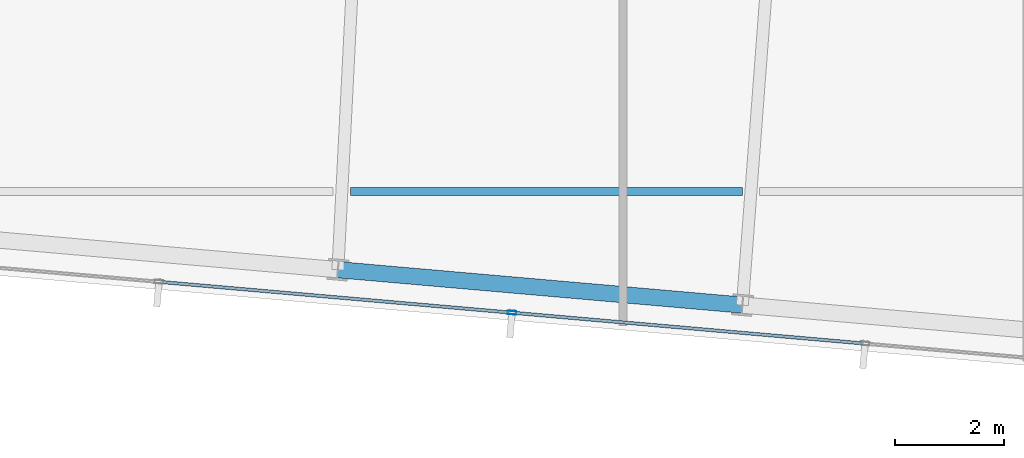
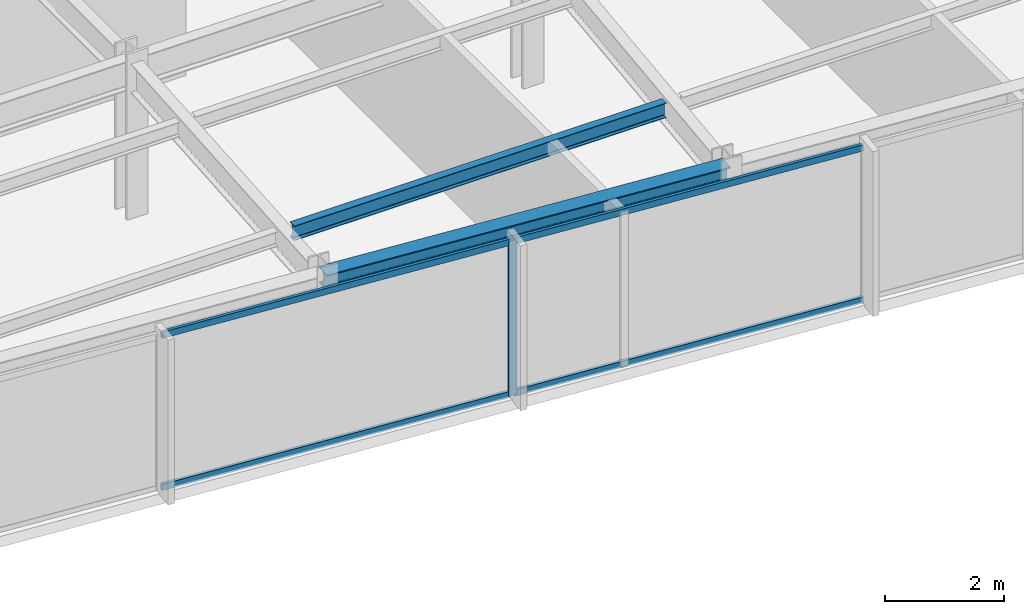
# One storey, part 7 of 32: 5 members, 2 beams, 1 element without a shape of its own.
"""IFC4 building model written with IfcOpenShell, lengths in metres."""

from ifc_helpers import new_model, si_unit, direction, frame, origin, origin_2d, place, context, subcontext, project, spatial, hollow_rectangle, i_section, extrude, material, material_profile, profile_set, type_object, element, aggregate, save


model = new_model("IFC4")

# Units and contexts
model_context = context("Model", 3, precision=1e-05, world=origin(), true_north=direction((0.0, 1.0)))
body_context = subcontext(model_context, "Body", "Model", "MODEL_VIEW")
ifc_project = project(units=[si_unit("LENGTHUNIT", "METRE"), si_unit("AREAUNIT", "SQUARE_METRE"), si_unit("VOLUMEUNIT", "CUBIC_METRE"), si_unit("PLANEANGLEUNIT", "RADIAN"), si_unit("MASSUNIT", "GRAM", prefix="KILO")], contexts=[model_context])

# Site, building, storey
site_placement = place(None, origin())
site = spatial("IfcSite", under=ifc_project, at=site_placement, CompositionType="ELEMENT")
building_placement = place(site_placement, origin())
building = spatial("IfcBuilding", under=site, at=building_placement, Name="Yelkora Congress Tower", CompositionType="ELEMENT")
storey_placement = place(building_placement, frame((0.0, 0.0, 269.300048828125)))
storey = spatial("IfcBuildingStorey", under=building, at=storey_placement, Name="L75", CompositionType="ELEMENT", Elevation=269.300048828125)

# Beams
ifc_material_1 = material(Name="Steel S355J2", Category="steel")
ifc_material_profile_1 = material_profile(ifc_material_1, i_section(OverallWidth=0.14990234375, OverallDepth=0.300048828125, WebThickness=0.007080078125, FlangeThickness=0.0107421875, FilletRadius=0.014892578125, at=origin_2d()), Name="IPE 300")
ifc_profile_set_1 = profile_set([ifc_material_profile_1], Name="Steel S355J2")
beam_type_1 = type_object("IfcBeamType", Name="BM-JOIST-IPE300", PredefinedType="JOIST", material=ifc_profile_set_1)
beam_1_placement = place(storey_placement, frame((30.595703125, 19.58447265625, 3.030029296875), z_axis=(1.0, 0.0, 0.0), x_axis=(0.0, 1.0, 0.0)))
element("IfcBeam", 1, at=beam_1_placement, inside=storey, type_object=beam_type_1, Name="L75 Composite Floor Joist 2", PredefinedType="JOIST", context=body_context, shape_type="SweptSolid", body=[
    extrude(i_section(OverallWidth=0.14990234375, OverallDepth=0.300048828125, WebThickness=0.007080078125, FlangeThickness=0.0107421875, FilletRadius=0.014892578125, at=origin_2d()), origin(), (0.0, 0.0, 1.0), 7.219970703125),
])
ifc_material_profile_2 = material_profile(ifc_material_1, i_section(OverallWidth=0.300048828125, OverallDepth=0.340087890625, WebThickness=0.011962890625, FlangeThickness=0.021484375, FilletRadius=0.027099609375, at=origin_2d()), Name="HEB 340")
ifc_profile_set_2 = profile_set([ifc_material_profile_2], Name="Steel S355J2")
beam_type_2 = type_object("IfcBeamType", Name="BM-SPAN-HEB340", PredefinedType="SPANDREL", material=ifc_profile_set_2)
beam_2_placement = place(storey_placement, frame((30.362548828125, 18.14111328125, 3.010009765625), z_axis=(0.99619601894, -0.087140644067, 0.0), x_axis=(0.087140644067, 0.99619601894, 0.0)))
element("IfcBeam", 2, at=beam_2_placement, inside=storey, type_object=beam_type_2, Name="L75 Perimeter Beam 4", PredefinedType="SPANDREL", context=body_context, shape_type="SweptSolid", body=[
    extrude(i_section(OverallWidth=0.300048828125, OverallDepth=0.340087890625, WebThickness=0.011962890625, FlangeThickness=0.021484375, FilletRadius=0.027099609375, at=origin_2d()), origin(), (0.0, 0.0, 1.0), 7.4833984375),
])

# Curtain wall, members
ifc_material_2 = material(Name="Anodised aluminium and insulated glass", Category="aluminium")
curtain_wall_type = type_object("IfcCurtainWallType", Name="CW-SYS-B5", PredefinedType="NOTDEFINED", material=ifc_material_2)
curtain_wall_placement = place(storey_placement, origin())
curtain_wall = element("IfcCurtainWall", 3, at=curtain_wall_placement, inside=storey, type_object=curtain_wall_type, Name="L75 Unitised Curtain Wall 20", PredefinedType="NOTDEFINED")
ifc_material_3 = material(Name="Anodised aluminium 6063-T6", Category="aluminium")
ifc_material_profile_3 = material_profile(ifc_material_3, hollow_rectangle(XDim=0.06494140625, YDim=0.159912109375, WallThickness=0.00390625, at=origin_2d()), Name="ALU 65x160x4")
ifc_profile_set_3 = profile_set([ifc_material_profile_3], Name="Anodised aluminium 6063-T6")
member_type_1 = type_object("IfcMemberType", Name="MEM-ML-B5", PredefinedType="MULLION", material=ifc_profile_set_3)
member_1_placement = place(storey_placement, frame((33.571533203125, 17.348388671875, 0.0), z_axis=(0.0, 0.0, 1.0), x_axis=(-0.087156829793, -0.996194602987, 0.0)))
member_1 = element("IfcMember", 4, at=member_1_placement, type_object=member_type_1, Name="CW-B5 mullion 4", PredefinedType="MULLION", context=body_context, shape_type="SweptSolid", body=[
    extrude(hollow_rectangle(XDim=0.06494140625, YDim=0.159912109375, WallThickness=0.00390625, at=origin_2d()), origin(), (0.0, 0.0, 1.0), 3.179931640625),
])
ifc_material_profile_4 = material_profile(ifc_material_3, hollow_rectangle(XDim=0.06005859375, YDim=0.1298828125, WallThickness=0.00390625, at=origin_2d()), Name="ALU 60x130x4")
ifc_profile_set_4 = profile_set([ifc_material_profile_4], Name="Anodised aluminium 6063-T6")
member_type_2 = type_object("IfcMemberType", Name="MEM-TR-B5", PredefinedType="USERDEFINED", material=ifc_profile_set_4)
member_2_placement = place(storey_placement, frame((40.045654296875, 16.781982421875, 0.030029296875), z_axis=(-0.996192979814, 0.08717538052, 0.0), x_axis=(-0.08717538052, -0.996192979814, 0.0)))
member_2 = element("IfcMember", 5, at=member_2_placement, type_object=member_type_2, Name="CW-B5 transom 3.1", ObjectType="TRANSOM", PredefinedType="USERDEFINED", context=body_context, shape_type="SweptSolid", body=[
    extrude(hollow_rectangle(XDim=0.06005859375, YDim=0.1298828125, WallThickness=0.00390625, at=origin_2d()), origin(), (0.0, 0.0, 1.0), 6.466552734375),
])
member_3_placement = place(storey_placement, frame((40.045654296875, 16.781982421875, 3.14990234375), z_axis=(-0.996192979814, 0.08717538052, 0.0), x_axis=(-0.08717538052, -0.996192979814, 0.0)))
member_3 = element("IfcMember", 6, at=member_3_placement, type_object=member_type_2, Name="CW-B5 transom 3.2", ObjectType="TRANSOM", PredefinedType="USERDEFINED", context=body_context, shape_type="SweptSolid", body=[
    extrude(hollow_rectangle(XDim=0.06005859375, YDim=0.1298828125, WallThickness=0.00390625, at=origin_2d()), origin(), (0.0, 0.0, 1.0), 6.466552734375),
])
member_4_placement = place(storey_placement, frame((33.5390625, 17.351318359375, 0.030029296875), z_axis=(-0.996196257862, 0.087137912649, 0.0), x_axis=(-0.087137912649, -0.996196257862, 0.0)))
member_4 = element("IfcMember", 7, at=member_4_placement, type_object=member_type_2, Name="CW-B5 transom 4.1", ObjectType="TRANSOM", PredefinedType="USERDEFINED", context=body_context, shape_type="SweptSolid", body=[
    extrude(hollow_rectangle(XDim=0.06005859375, YDim=0.1298828125, WallThickness=0.00390625, at=origin_2d()), origin(), (0.0, 0.0, 1.0), 6.466552734375),
])
member_5_placement = place(storey_placement, frame((33.5390625, 17.351318359375, 3.14990234375), z_axis=(-0.996196257862, 0.087137912649, 0.0), x_axis=(-0.087137912649, -0.996196257862, 0.0)))
member_5 = element("IfcMember", 8, at=member_5_placement, type_object=member_type_2, Name="CW-B5 transom 4.2", ObjectType="TRANSOM", PredefinedType="USERDEFINED", context=body_context, shape_type="SweptSolid", body=[
    extrude(hollow_rectangle(XDim=0.06005859375, YDim=0.1298828125, WallThickness=0.00390625, at=origin_2d()), origin(), (0.0, 0.0, 1.0), 6.466552734375),
])
aggregate(curtain_wall, [member_1, member_2, member_3, member_4, member_5])

save(model, "model.ifc")
